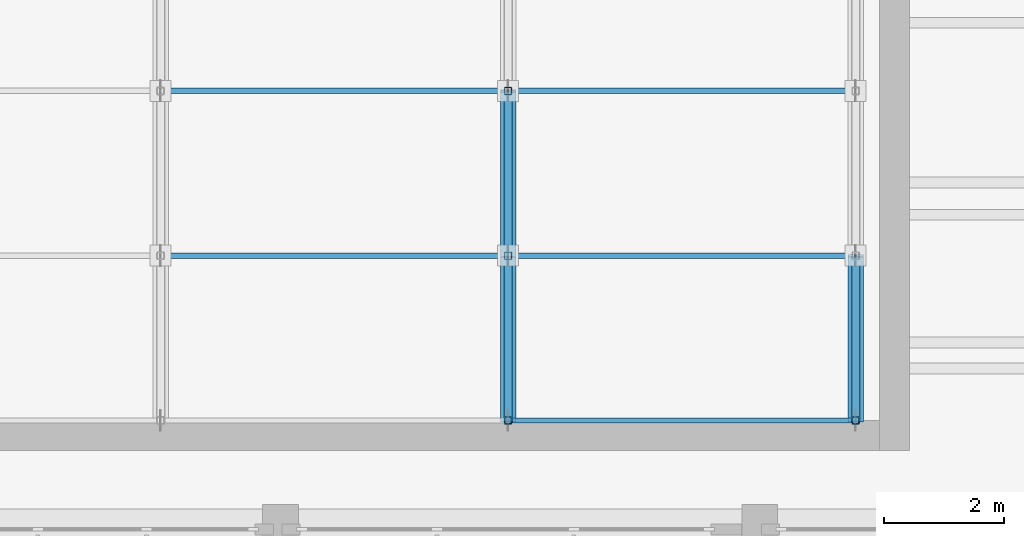
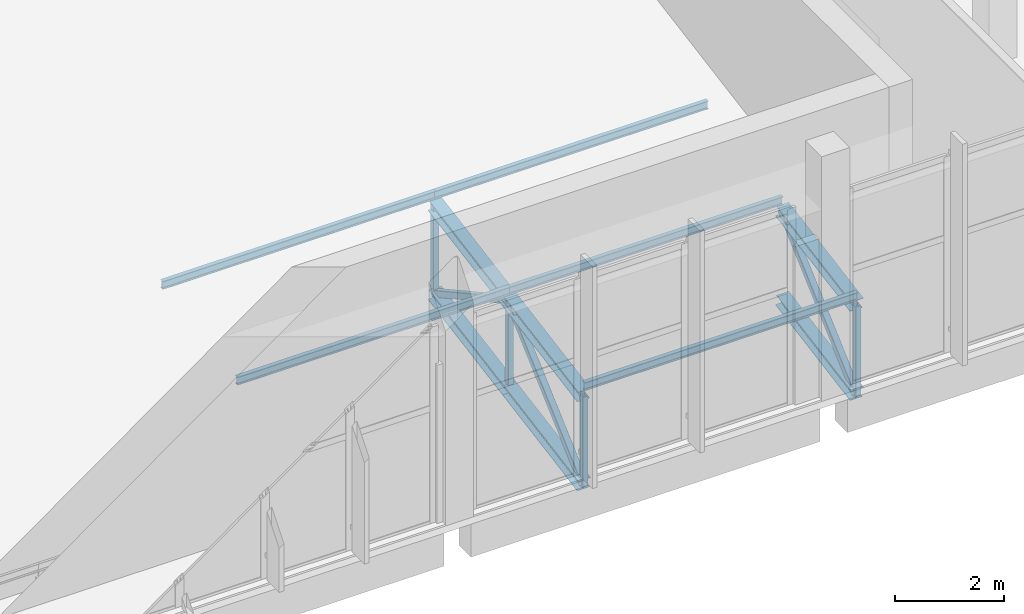
# One storey, part 7 of 132: 18 members.
"""IFC4 building model written with IfcOpenShell, lengths in metres."""

from ifc_helpers import new_model, si_unit, direction, frame, origin, origin_2d, place, context, subcontext, project, spatial, hollow_rectangle, i_section, extrude, material, material_profile, profile_set, type_object, element, save


model = new_model("IFC4")

# Units and contexts
model_context = context("Model", 3, precision=1e-05, world=origin(), true_north=direction((0.0, 1.0)))
body_context = subcontext(model_context, "Body", "Model", "MODEL_VIEW")
ifc_project = project(units=[si_unit("LENGTHUNIT", "METRE"), si_unit("AREAUNIT", "SQUARE_METRE"), si_unit("VOLUMEUNIT", "CUBIC_METRE"), si_unit("PLANEANGLEUNIT", "RADIAN"), si_unit("MASSUNIT", "GRAM", prefix="KILO")], contexts=[model_context])

# Site, building, storey
site_placement = place(None, origin())
site = spatial("IfcSite", under=ifc_project, at=site_placement, CompositionType="ELEMENT")
building_placement = place(site_placement, origin())
building = spatial("IfcBuilding", under=site, at=building_placement, Name="Lunette Opera House", CompositionType="ELEMENT")
storey_placement = place(building_placement, frame((0.0, 0.0, 17.0)))
storey = spatial("IfcBuildingStorey", under=building, at=storey_placement, Name="L03", CompositionType="ELEMENT", Elevation=17.0)

# Members
ifc_material_1 = material(Name="Steel S355", Category="steel")
ifc_material_profile_1 = material_profile(ifc_material_1, i_section(OverallWidth=0.260009765625, OverallDepth=0.25, WebThickness=0.007568359375, FlangeThickness=0.012451171875, FilletRadius=0.02392578125, at=origin_2d()), Name="HEA 260")
ifc_profile_set_1 = profile_set([ifc_material_profile_1], Name="Steel S355")
member_type_1 = type_object("IfcMemberType", Name="CHORD HEA 260", PredefinedType="CHORD", material=ifc_profile_set_1)
for number, where, z_axis, x_axis, name in (
    (1, (27.800048828125, 66.0, 0.294921875), (0.0, 0.984794998673, 0.173720495593), (-1.0, 0.0, 0.0), "mem-RW-L03-RW-TR04-TC1"),
    (2, (27.800048828125, 66.0, -1.705078125), (0.0, 0.984794998673, 0.173720495593), (-1.0, 0.0, 0.0), "mem-RW-L03-RW-TR04-BC1"),
    (3, (27.800048828125, 68.75, 0.780029296875), (0.0, 0.984809952442, 0.173635703618), (-1.0, 0.0, 0.0), "mem-RW-L03-RW-TR04-TC2"),
    (4, (27.800048828125, 68.75, -1.219970703125), (0.0, 0.984809952442, 0.173635703618), (-1.0, 0.0, 0.0), "mem-RW-L03-RW-TR04-BC2"),
    (5, (33.60009765625, 66.0, 0.294921875), (0.0, 0.984794998673, 0.173720495593), (-1.0, 0.0, 0.0), "mem-RW-L03-RW-TR05-TC1"),
    (6, (33.60009765625, 66.0, -1.705078125), (0.0, 0.984794998673, 0.173720495593), (-1.0, 0.0, 0.0), "mem-RW-L03-RW-TR05-BC1"),
):
    element("IfcMember", number, at=place(storey_placement, frame(where, z_axis=z_axis, x_axis=x_axis)), inside=storey, type_object=member_type_1, Name=name, PredefinedType="CHORD", context=body_context, shape_type="SweptSolid", body=[
        extrude(i_section(OverallWidth=0.260009765625, OverallDepth=0.25, WebThickness=0.007568359375, FlangeThickness=0.012451171875, FilletRadius=0.02392578125, at=origin_2d()), origin(), (0.0, 0.0, 1.0), 2.79248046875),
    ])
ifc_material_2 = material(Name="Steel S355", Category="steel")
ifc_material_profile_2 = material_profile(ifc_material_2, hollow_rectangle(XDim=0.139892578125, YDim=0.139892578125, WallThickness=0.006103515625, InnerFilletRadius=0.006103515625, OuterFilletRadius=0.011962890625, at=origin_2d()), Name="RHS 140X140X6")
ifc_profile_set_2 = profile_set([ifc_material_profile_2], Name="Steel S355")
member_type_2 = type_object("IfcMemberType", Name="DIAGONAL RHS 140X140X6", PredefinedType="BRACE", material=ifc_profile_set_2)
member_1_placement = place(storey_placement, frame((27.800048828125, 66.0, -1.705078125), z_axis=(0.0, 0.741936685601, 0.670469950527), x_axis=(-1.0, 0.0, 0.0)))
element("IfcMember", 7, at=member_1_placement, inside=storey, type_object=member_type_2, Name="mem-RW-L03-RW-TR04-TD1", PredefinedType="BRACE", context=body_context, shape_type="SweptSolid", body=[
    extrude(hollow_rectangle(XDim=0.139892578125, YDim=0.139892578125, WallThickness=0.006103515625, InnerFilletRadius=0.006103515625, OuterFilletRadius=0.011962890625, at=origin_2d()), origin(), (0.0, 0.0, 1.0), 3.70654296875),
])
member_2_placement = place(storey_placement, frame((27.800048828125, 68.75, 0.780029296875), z_axis=(0.0, 0.87586106121, -0.482563365223), x_axis=(-1.0, 0.0, 0.0)))
element("IfcMember", 8, at=member_2_placement, inside=storey, type_object=member_type_2, Name="mem-RW-L03-RW-TR04-TD2", PredefinedType="BRACE", context=body_context, shape_type="SweptSolid", body=[
    extrude(hollow_rectangle(XDim=0.139892578125, YDim=0.139892578125, WallThickness=0.006103515625, InnerFilletRadius=0.006103515625, OuterFilletRadius=0.011962890625, at=origin_2d()), origin(), (0.0, 0.0, 1.0), 3.1396484375),
])
member_3_placement = place(storey_placement, frame((33.60009765625, 66.0, -1.705078125), z_axis=(0.0, 0.741936685601, 0.670469950527), x_axis=(-1.0, 0.0, 0.0)))
element("IfcMember", 9, at=member_3_placement, inside=storey, type_object=member_type_2, Name="mem-RW-L03-RW-TR05-TD1", PredefinedType="BRACE", context=body_context, shape_type="SweptSolid", body=[
    extrude(hollow_rectangle(XDim=0.139892578125, YDim=0.139892578125, WallThickness=0.006103515625, InnerFilletRadius=0.006103515625, OuterFilletRadius=0.011962890625, at=origin_2d()), origin(), (0.0, 0.0, 1.0), 3.70654296875),
])
ifc_material_3 = material(Name="Steel S355", Category="steel")
ifc_material_profile_3 = material_profile(ifc_material_3, i_section(OverallWidth=0.091064453125, OverallDepth=0.179931640625, WebThickness=0.00537109375, FlangeThickness=0.008056640625, FilletRadius=0.009033203125, at=origin_2d()), Name="IPE 180")
ifc_profile_set_3 = profile_set([ifc_material_profile_3], Name="Steel S355")
member_type_3 = type_object("IfcMemberType", Name="PURLIN IPE 180", PredefinedType="PURLIN", material=ifc_profile_set_3)
for number, where, z_axis, x_axis, name in (
    (10, (27.800048828125, 66.0, 0.510009765625), (1.0, 0.0, 0.0), (0.0, 1.0, 0.0), "mem-RW-L03-RW-PU1-4"),
    (11, (22.0, 68.75, 0.9951171875), (1.0, 0.0, 0.0), (0.0, 1.0, 0.0), "mem-RW-L03-RW-PU2-3"),
    (12, (27.800048828125, 68.75, 0.9951171875), (1.0, 0.0, 0.0), (0.0, 1.0, 0.0), "mem-RW-L03-RW-PU2-4"),
    (13, (22.0, 71.5, 1.47998046875), (1.0, 0.0, 0.0), (0.0, 1.0, 0.0), "mem-RW-L03-RW-PU3-3"),
    (14, (27.800048828125, 71.5, 1.47998046875), (1.0, 0.0, 0.0), (0.0, 1.0, 0.0), "mem-RW-L03-RW-PU3-4"),
):
    element("IfcMember", number, at=place(storey_placement, frame(where, z_axis=z_axis, x_axis=x_axis)), inside=storey, type_object=member_type_3, Name=name, PredefinedType="PURLIN", context=body_context, shape_type="SweptSolid", body=[
        extrude(i_section(OverallWidth=0.091064453125, OverallDepth=0.179931640625, WebThickness=0.00537109375, FlangeThickness=0.008056640625, FilletRadius=0.009033203125, at=origin_2d()), origin(), (0.0, 0.0, 1.0), 5.800048828125),
    ])
ifc_material_4 = material(Name="Steel S355", Category="steel")
ifc_material_profile_4 = material_profile(ifc_material_4, hollow_rectangle(XDim=0.1201171875, YDim=0.1201171875, WallThickness=0.0048828125, InnerFilletRadius=0.0048828125, OuterFilletRadius=0.010009765625, at=origin_2d()), Name="RHS 120X120X5")
ifc_profile_set_4 = profile_set([ifc_material_profile_4], Name="Steel S355")
member_type_4 = type_object("IfcMemberType", Name="VERTICAL RHS 120X120X5", PredefinedType="POST", material=ifc_profile_set_4)
for number, where, z_axis, x_axis, name in (
    (15, (27.800048828125, 66.0, -1.705078125), (0.0, 0.0, 1.0), (1.0, 0.0, 0.0), "mem-RW-L03-RW-TR04-TV1"),
    (16, (27.800048828125, 68.75, -1.219970703125), (0.0, 0.0, 1.0), (1.0, 0.0, 0.0), "mem-RW-L03-RW-TR04-TV2"),
    (17, (27.800048828125, 71.5, -0.735107421875), (0.0, 0.0, 1.0), (1.0, 0.0, 0.0), "mem-RW-L03-RW-TR04-TV3"),
    (18, (33.60009765625, 66.0, -1.705078125), (0.0, 0.0, 1.0), (1.0, 0.0, 0.0), "mem-RW-L03-RW-TR05-TV1"),
):
    element("IfcMember", number, at=place(storey_placement, frame(where, z_axis=z_axis, x_axis=x_axis)), inside=storey, type_object=member_type_4, Name=name, PredefinedType="POST", context=body_context, shape_type="SweptSolid", body=[
        extrude(hollow_rectangle(XDim=0.1201171875, YDim=0.1201171875, WallThickness=0.0048828125, InnerFilletRadius=0.0048828125, OuterFilletRadius=0.010009765625, at=origin_2d()), origin(), (0.0, 0.0, 1.0), 2.0),
    ])

save(model, "model.ifc")
